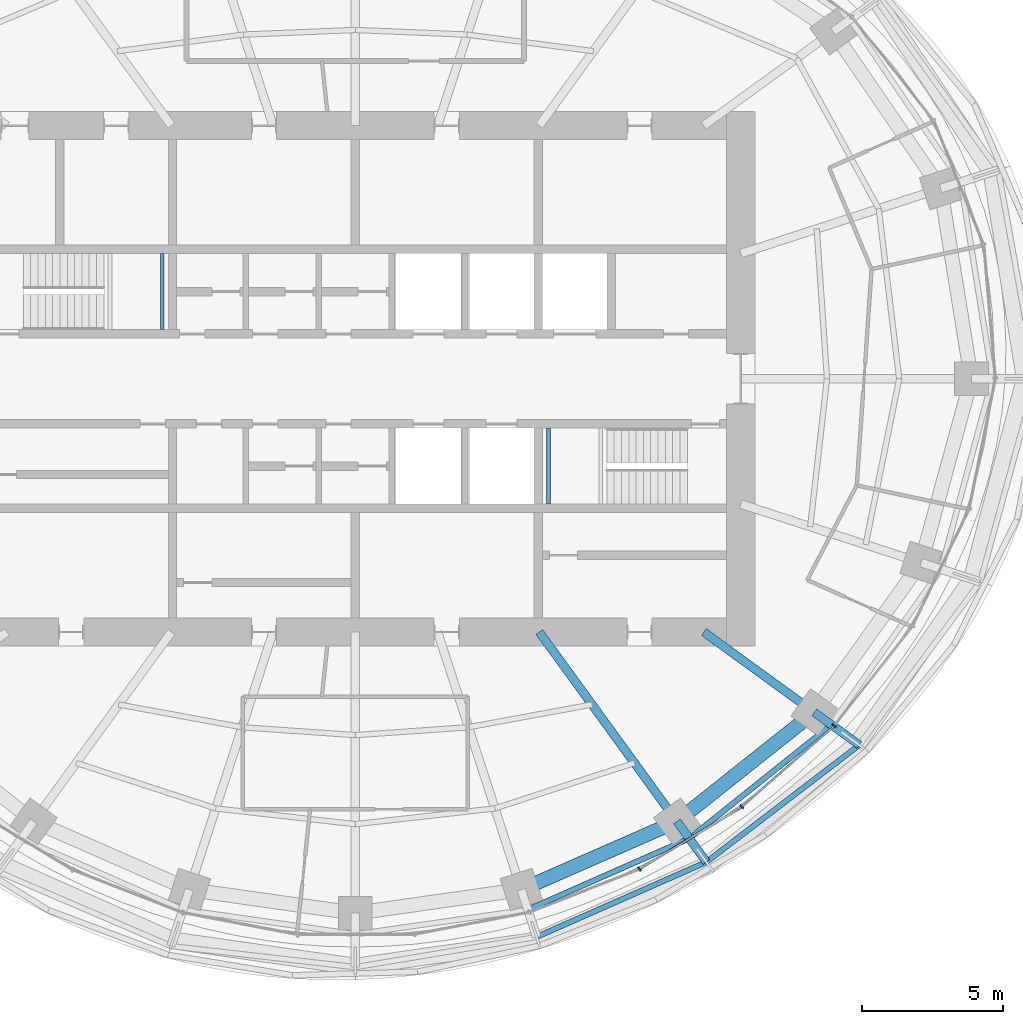
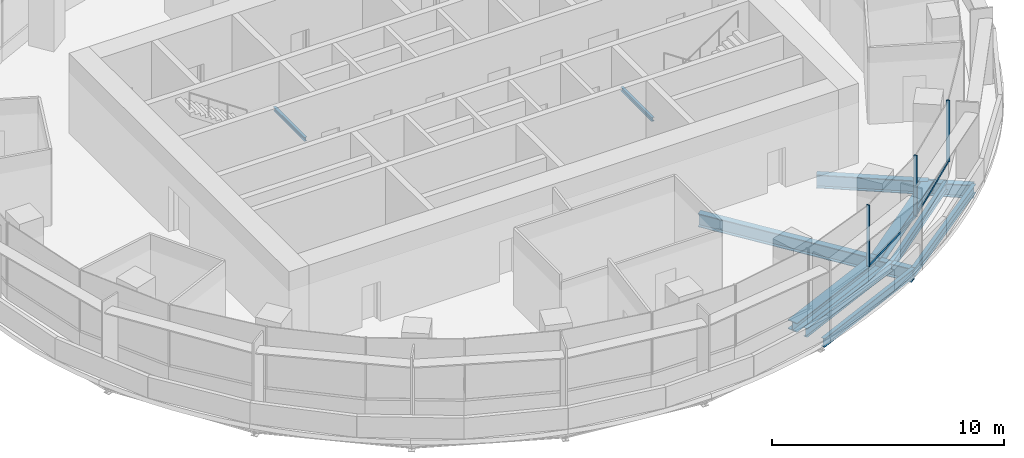
# One storey, part 5 of 15: 10 beams, 7 members, 1 element without a shape of its own.
"""IFC4 building model written with IfcOpenShell, lengths in metres."""

from ifc_helpers import new_model, si_unit, direction, frame, origin, origin_2d, place, context, subcontext, project, spatial, rectangle, i_section, extrude, material, material_profile, profile_set, type_object, element, aggregate, save


model = new_model("IFC4")

# Units and contexts
model_context = context("Model", 3, precision=1e-05, world=origin(), true_north=direction((0.0, 1.0)))
body_context = subcontext(model_context, "Body", "Model", "MODEL_VIEW")
ifc_project = project(units=[si_unit("LENGTHUNIT", "METRE"), si_unit("AREAUNIT", "SQUARE_METRE"), si_unit("VOLUMEUNIT", "CUBIC_METRE"), si_unit("PLANEANGLEUNIT", "RADIAN"), si_unit("MASSUNIT", "GRAM", prefix="KILO")], contexts=[model_context])

# Site, building, storey
site_placement = place(None, origin())
site = spatial("IfcSite", under=ifc_project, at=site_placement, CompositionType="ELEMENT")
building_placement = place(site_placement, origin())
building = spatial("IfcBuilding", under=site, at=building_placement, Name="Marramba Exchange Tower", CompositionType="ELEMENT")
storey_placement = place(building_placement, frame((0.0, 0.0, 251.800048828125)))
storey = spatial("IfcBuildingStorey", under=building, at=storey_placement, Name="L61", CompositionType="ELEMENT", Elevation=251.800048828125)

# Members
ifc_material_1 = material(Name="Steel AS/NZS 3679.2 grade 300", Category="steel")
ifc_material_profile_1 = material_profile(ifc_material_1, i_section(OverallWidth=0.5, OverallDepth=0.48388671875, WebThickness=0.02490234375, FlangeThickness=0.031982421875, at=origin_2d()), Name="500WC340")
ifc_profile_set_1 = profile_set([ifc_material_profile_1], Name="Steel AS/NZS 3679.2 grade 300")
member_type_1 = type_object("IfcMemberType", Name="Belt truss chord 500WC340", PredefinedType="CHORD", material=ifc_profile_set_1)
member_1_placement = place(storey_placement, frame((5.899658203125, -18.156982421875, -0.442138671875), z_axis=(0.915876892158, 0.4014592363, 0.0), x_axis=(-0.4014592363, 0.915876892158, 0.0)))
element("IfcMember", 1, at=member_1_placement, inside=storey, type_object=member_type_1, Name="Belt chord L61 TC17-TC18", PredefinedType="CHORD", context=body_context, shape_type="SweptSolid", body=[
    extrude(i_section(OverallWidth=0.5, OverallDepth=0.48388671875, WebThickness=0.02490234375, FlangeThickness=0.031982421875, at=origin_2d()), origin(), (0.0, 0.0, 1.0), 6.038818359375),
])
member_2_placement = place(storey_placement, frame((11.430419921875, -15.732666015625, -0.442138671875), z_axis=(0.783139438128, 0.621846138887, 0.0), x_axis=(-0.621846138887, 0.783139438128, 0.0)))
element("IfcMember", 2, at=member_2_placement, inside=storey, type_object=member_type_1, Name="Belt chord L61 TC18-TC19", PredefinedType="CHORD", context=body_context, shape_type="SweptSolid", body=[
    extrude(i_section(OverallWidth=0.5, OverallDepth=0.48388671875, WebThickness=0.02490234375, FlangeThickness=0.031982421875, at=origin_2d()), origin(), (0.0, 0.0, 1.0), 6.23779296875),
])

# Beams
ifc_material_profile_2 = material_profile(ifc_material_1, i_section(OverallWidth=0.300048828125, OverallDepth=0.699951171875, WebThickness=0.010009765625, FlangeThickness=0.031982421875, at=origin_2d()), Name="700WB173")
ifc_profile_set_2 = profile_set([ifc_material_profile_2], Name="Steel AS/NZS 3679.2 grade 300")
beam_type_1 = type_object("IfcBeamType", Name="Cantilever girder 700WB173", PredefinedType="BEAM", material=ifc_profile_set_2)
beam_1_placement = place(storey_placement, frame((11.430419921875, -15.732666015625, -0.60009765625), z_axis=(0.58783009415, -0.808984412959, 0.0), x_axis=(0.808984412959, 0.58783009415, 0.0)))
element("IfcBeam", 3, at=beam_1_placement, inside=storey, type_object=beam_type_1, Name="Cantilever girder L61 TC18", PredefinedType="BEAM", context=body_context, shape_type="SweptSolid", body=[
    extrude(i_section(OverallWidth=0.300048828125, OverallDepth=0.699951171875, WebThickness=0.010009765625, FlangeThickness=0.031982421875, at=origin_2d()), origin(), (0.0, 0.0, 1.0), 1.78515625),
])
beam_2_placement = place(storey_placement, frame((16.3154296875, -11.853759765625, -0.60009765625), z_axis=(0.808970801893, -0.587848825537, 0.0), x_axis=(0.587848825537, 0.808970801893, 0.0)))
element("IfcBeam", 4, at=beam_2_placement, inside=storey, type_object=beam_type_1, Name="Cantilever girder L61 TC19", PredefinedType="BEAM", context=body_context, shape_type="SweptSolid", body=[
    extrude(i_section(OverallWidth=0.300048828125, OverallDepth=0.699951171875, WebThickness=0.010009765625, FlangeThickness=0.031982421875, at=origin_2d()), origin(), (0.0, 0.0, 1.0), 1.978515625),
])

# Curtain wall, members
ifc_material_2 = material(Name="Aluminium framing, bronze anodised", Category="aluminium")
curtain_wall_type = type_object("IfcCurtainWallType", Name="Executive floor ribbon curtain wall", PredefinedType="USERDEFINED", material=ifc_material_2)
curtain_wall_placement = place(storey_placement, origin())
curtain_wall = element("IfcCurtainWall", 5, at=curtain_wall_placement, inside=storey, type_object=curtain_wall_type, Name="Curtain wall CW5 L61 F26-F30", ObjectType="RIBBON CURTAIN WALL", PredefinedType="USERDEFINED")
ifc_material_3 = material(Name="Aluminium mullion, bronze anodised", Category="aluminium")
ifc_material_profile_3 = material_profile(ifc_material_3, rectangle(XDim=0.159912109375, YDim=0.06005859375, at=origin_2d()), Name="CW5 mullion 60x160")
ifc_profile_set_3 = profile_set([ifc_material_profile_3], Name="Aluminium mullion, bronze anodised")
member_type_2 = type_object("IfcMemberType", Name="Executive floor ribbon curtain wall mullion", PredefinedType="MULLION", material=ifc_profile_set_3)
member_3_placement = place(storey_placement, frame((10.09619140625, -17.42724609375, 0.800048828125), z_axis=(0.0, 0.0, 1.0), x_axis=(-0.519115121209, 0.854704329539, 0.0)))
member_3 = element("IfcMember", 6, at=member_3_placement, type_object=member_type_2, Name="CW5 mullion 1", PredefinedType="MULLION", context=body_context, shape_type="SweptSolid", body=[
    extrude(rectangle(XDim=0.159912109375, YDim=0.06005859375, at=origin_2d()), origin(), (0.0, 0.0, 1.0), 3.239990234375),
])
member_4_placement = place(storey_placement, frame((13.736083984375, -15.21044921875, 0.800048828125), z_axis=(0.0, 0.0, 1.0), x_axis=(-0.658305290779, 0.752751050569, 0.0)))
member_4 = element("IfcMember", 7, at=member_4_placement, type_object=member_type_2, Name="CW5 mullion 1", PredefinedType="MULLION", context=body_context, shape_type="SweptSolid", body=[
    extrude(rectangle(XDim=0.159912109375, YDim=0.06005859375, at=origin_2d()), origin(), (0.0, 0.0, 1.0), 3.239990234375),
])
member_5_placement = place(storey_placement, frame((17.021484375, -12.329833984375, 0.800048828125), z_axis=(0.0, 0.0, 1.0), x_axis=(-0.78594954734, 0.618290634763, 0.0)))
member_5 = element("IfcMember", 8, at=member_5_placement, type_object=member_type_2, Name="CW5 mullion 1", PredefinedType="MULLION", context=body_context, shape_type="SweptSolid", body=[
    extrude(rectangle(XDim=0.159912109375, YDim=0.06005859375, at=origin_2d()), origin(), (0.0, 0.0, 1.0), 3.239990234375),
])
ifc_material_4 = material(Name="Aluminium transom, bronze anodised", Category="aluminium")
ifc_material_profile_4 = material_profile(ifc_material_4, rectangle(XDim=0.06005859375, YDim=0.1201171875, at=origin_2d()), Name="CW5 transom 60x120")
ifc_profile_set_4 = profile_set([ifc_material_profile_4], Name="Aluminium transom, bronze anodised")
member_type_3 = type_object("IfcMemberType", Name="Executive floor ribbon curtain wall transom", PredefinedType="USERDEFINED", material=ifc_profile_set_4)
member_6_placement = place(storey_placement, frame((10.121826171875, -17.41162109375, 0.829833984375), z_axis=(0.854701897511, 0.519119125434, 0.0), x_axis=(-0.519119125434, 0.854701897511, 0.0)))
member_6 = element("IfcMember", 9, at=member_6_placement, type_object=member_type_3, Name="CW5 sill transom", ObjectType="TRANSOM", PredefinedType="USERDEFINED", context=body_context, shape_type="SweptSolid", body=[
    extrude(rectangle(XDim=0.06005859375, YDim=0.1201171875, at=origin_2d()), origin(), (0.0, 0.0, 1.0), 4.2021484375),
])
member_7_placement = place(storey_placement, frame((13.758544921875, -15.19091796875, 0.829833984375), z_axis=(0.752741590247, 0.658316108198, 0.0), x_axis=(-0.658316108198, 0.752741590247, 0.0)))
member_7 = element("IfcMember", 10, at=member_7_placement, type_object=member_type_3, Name="CW5 sill transom", ObjectType="TRANSOM", PredefinedType="USERDEFINED", context=body_context, shape_type="SweptSolid", body=[
    extrude(rectangle(XDim=0.06005859375, YDim=0.1201171875, at=origin_2d()), origin(), (0.0, 0.0, 1.0), 4.31005859375),
])
aggregate(curtain_wall, [member_3, member_6, member_4, member_7, member_5])

# Beams
ifc_material_profile_5 = material_profile(ifc_material_1, i_section(OverallWidth=0.300048828125, OverallDepth=0.699951171875, WebThickness=0.010009765625, FlangeThickness=0.031982421875, at=origin_2d()), Name="700WB173")
ifc_profile_set_5 = profile_set([ifc_material_profile_5], Name="Steel AS/NZS 3679.2 grade 300")
beam_type_2 = type_object("IfcBeamType", Name="Radial girder 700WB173", PredefinedType="BEAM", material=ifc_profile_set_5)
beam_3_placement = place(storey_placement, frame((6.538818359375, -9.0, -0.550048828125), z_axis=(0.587787877172, -0.809015087282, 0.0), x_axis=(0.809015087282, 0.587787877172, 0.0)))
element("IfcBeam", 11, at=beam_3_placement, inside=storey, type_object=beam_type_2, Name="Radial girder L61 TC18", PredefinedType="BEAM", context=body_context, shape_type="SweptSolid", body=[
    extrude(i_section(OverallWidth=0.300048828125, OverallDepth=0.699951171875, WebThickness=0.010009765625, FlangeThickness=0.031982421875, at=origin_2d()), origin(), (0.0, 0.0, 1.0), 8.322021484375),
])
beam_4_placement = place(storey_placement, frame((12.387451171875, -9.0, -0.550048828125), z_axis=(0.809025189606, -0.58777397236, 0.0), x_axis=(0.58777397236, 0.809025189606, 0.0)))
element("IfcBeam", 12, at=beam_4_placement, inside=storey, type_object=beam_type_2, Name="Radial girder L61 TC19", PredefinedType="BEAM", context=body_context, shape_type="SweptSolid", body=[
    extrude(i_section(OverallWidth=0.300048828125, OverallDepth=0.699951171875, WebThickness=0.010009765625, FlangeThickness=0.031982421875, at=origin_2d()), origin(), (0.0, 0.0, 1.0), 4.855224609375),
])
ifc_material_5 = material(Name="Steel AS/NZS 3679.1 grade 300", Category="steel")
ifc_material_profile_6 = material_profile(ifc_material_5, i_section(OverallWidth=0.19091796875, OverallDepth=0.4599609375, WebThickness=0.010009765625, FlangeThickness=0.01611328125, FilletRadius=0.011474609375, at=origin_2d()), Name="460UB82.1")
ifc_profile_set_6 = profile_set([ifc_material_profile_6], Name="Steel AS/NZS 3679.1 grade 300")
beam_type_3 = type_object("IfcBeamType", Name="Slab edge beam 460UB82.1", PredefinedType="SPANDREL", material=ifc_profile_set_6)
beam_5_placement = place(storey_placement, frame((6.44580078125, -19.83837890625, -0.47998046875), z_axis=(0.914940719579, 0.403588255102, 0.0), x_axis=(-0.403588255102, 0.914940719579, 0.0)))
element("IfcBeam", 13, at=beam_5_placement, inside=storey, type_object=beam_type_3, Name="Setback roof edge beam L61 TC17-TC18", PredefinedType="SPANDREL", context=body_context, shape_type="SweptSolid", body=[
    extrude(i_section(OverallWidth=0.19091796875, OverallDepth=0.4599609375, WebThickness=0.010009765625, FlangeThickness=0.01611328125, FilletRadius=0.011474609375, at=origin_2d()), origin(), (0.0, 0.0, 1.0), 6.594970703125),
])
beam_6_placement = place(storey_placement, frame((12.479736328125, -17.1767578125, -0.47998046875), z_axis=(0.794163423189, 0.607704251481, 0.0), x_axis=(-0.607704251481, 0.794163423189, 0.0)))
element("IfcBeam", 14, at=beam_6_placement, inside=storey, type_object=beam_type_3, Name="Setback roof edge beam L61 TC18-TC19", PredefinedType="SPANDREL", context=body_context, shape_type="SweptSolid", body=[
    extrude(i_section(OverallWidth=0.19091796875, OverallDepth=0.4599609375, WebThickness=0.010009765625, FlangeThickness=0.01611328125, FilletRadius=0.011474609375, at=origin_2d()), origin(), (0.0, 0.0, 1.0), 6.84521484375),
])
beam_7_placement = place(storey_placement, frame((6.13134765625, -18.870361328125, -0.429931640625), z_axis=(0.914996831444, 0.403461024694, 0.0), x_axis=(-0.403461024694, 0.914996831444, 0.0)))
element("IfcBeam", 15, at=beam_7_placement, inside=storey, type_object=beam_type_3, Name="Slab edge beam L61 TC17-TC18", PredefinedType="SPANDREL", context=body_context, shape_type="SweptSolid", body=[
    extrude(i_section(OverallWidth=0.19091796875, OverallDepth=0.4599609375, WebThickness=0.010009765625, FlangeThickness=0.01611328125, FilletRadius=0.011474609375, at=origin_2d()), origin(), (0.0, 0.0, 1.0), 6.273193359375),
])
beam_8_placement = place(storey_placement, frame((11.871337890625, -16.33935546875, -0.429931640625), z_axis=(0.780563193139, 0.625076876485, 0.0), x_axis=(-0.625076876485, 0.780563193139, 0.0)))
element("IfcBeam", 16, at=beam_8_placement, inside=storey, type_object=beam_type_3, Name="Slab edge beam L61 TC18-TC19", PredefinedType="SPANDREL", context=body_context, shape_type="SweptSolid", body=[
    extrude(i_section(OverallWidth=0.19091796875, OverallDepth=0.4599609375, WebThickness=0.010009765625, FlangeThickness=0.01611328125, FilletRadius=0.011474609375, at=origin_2d()), origin(), (0.0, 0.0, 1.0), 6.470703125),
])
ifc_material_profile_7 = material_profile(ifc_material_5, i_section(OverallWidth=0.133056640625, OverallDepth=0.202880859375, WebThickness=0.005859375, FlangeThickness=0.0078125, FilletRadius=0.0087890625, at=origin_2d()), Name="200UB25.4")
ifc_profile_set_7 = profile_set([ifc_material_profile_7], Name="Steel AS/NZS 3679.1 grade 300")
beam_type_4 = type_object("IfcBeamType", Name="Stair landing beam 200UB25.4", PredefinedType="BEAM", material=ifc_profile_set_7)
for number, where, z_axis, x_axis, name in (
    (17, (-6.866455078125, 1.75, 1.79833984375), (0.0, 1.0, 0.0), (-1.0, 0.0, 0.0), "Stair landing beam SLB1 ST1 L61 2"),
    (18, (6.866455078125, -4.449951171875, 1.79833984375), (0.0, 1.0, 0.0), (-1.0, 0.0, 0.0), "Stair landing beam SLB1 ST2 L61 1"),
):
    element("IfcBeam", number, at=place(storey_placement, frame(where, z_axis=z_axis, x_axis=x_axis)), inside=storey, type_object=beam_type_4, Name=name, PredefinedType="BEAM", context=body_context, shape_type="SweptSolid", body=[
        extrude(i_section(OverallWidth=0.133056640625, OverallDepth=0.202880859375, WebThickness=0.005859375, FlangeThickness=0.0078125, FilletRadius=0.0087890625, at=origin_2d()), origin(), (0.0, 0.0, 1.0), 2.699951171875),
    ])

save(model, "model.ifc")
